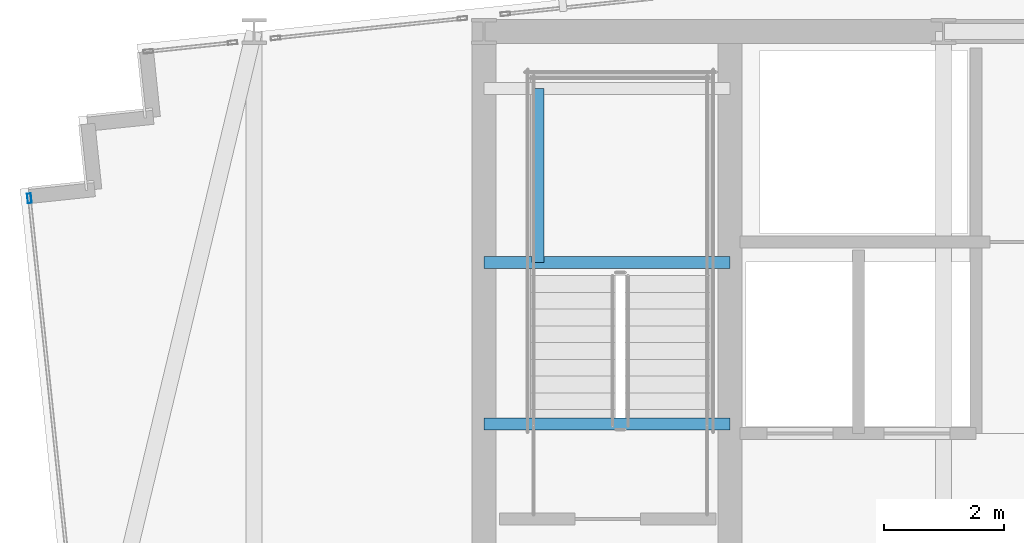
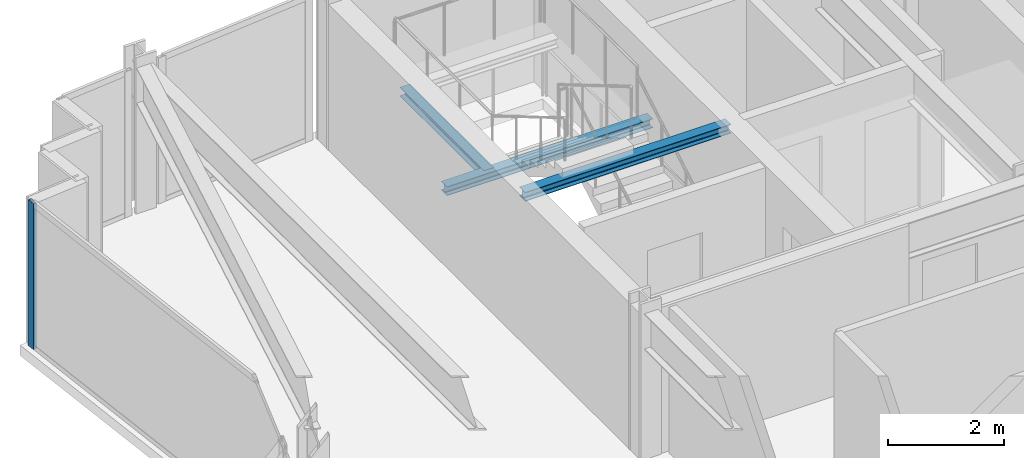
# One storey, part 12 of 32: 3 beams, 1 member, 1 element without a shape of its own.
"""IFC4 building model written with IfcOpenShell, lengths in metres."""

from ifc_helpers import new_model, si_unit, direction, frame, origin, origin_2d, place, context, subcontext, project, spatial, hollow_rectangle, i_section, extrude, material, material_profile, profile_set, type_object, element, aggregate, save


model = new_model("IFC4")

# Units and contexts
model_context = context("Model", 3, precision=1e-05, world=origin(), true_north=direction((0.0, 1.0)))
body_context = subcontext(model_context, "Body", "Model", "MODEL_VIEW")
ifc_project = project(units=[si_unit("LENGTHUNIT", "METRE"), si_unit("AREAUNIT", "SQUARE_METRE"), si_unit("VOLUMEUNIT", "CUBIC_METRE"), si_unit("PLANEANGLEUNIT", "RADIAN"), si_unit("MASSUNIT", "GRAM", prefix="KILO")], contexts=[model_context])

# Site, building, storey
site_placement = place(None, origin())
site = spatial("IfcSite", under=ifc_project, at=site_placement, CompositionType="ELEMENT")
building_placement = place(site_placement, origin())
building = spatial("IfcBuilding", under=site, at=building_placement, Name="Yelkora Congress Tower", CompositionType="ELEMENT")
storey_placement = place(building_placement, frame((0.0, 0.0, 207.800048828125)))
storey = spatial("IfcBuildingStorey", under=building, at=storey_placement, Name="L57", CompositionType="ELEMENT", Elevation=207.800048828125)

# Beams
ifc_material_1 = material(Name="Steel S355J2", Category="steel")
ifc_material_profile_1 = material_profile(ifc_material_1, i_section(OverallWidth=0.199951171875, OverallDepth=0.18994140625, WebThickness=0.006591796875, FlangeThickness=0.010009765625, FilletRadius=0.01806640625, at=origin_2d()), Name="HEA 200")
ifc_profile_set_1 = profile_set([ifc_material_profile_1], Name="Steel S355J2")
beam_type = type_object("IfcBeamType", Name="BM-LAND-HEA200", PredefinedType="BEAM", material=ifc_profile_set_1)
beam_1_placement = place(storey_placement, frame((23.0400390625, 42.340087890625, 1.33447265625), z_axis=(1.0, 0.0, 0.0), x_axis=(0.0, 1.0, 0.0)))
element("IfcBeam", 1, at=beam_1_placement, inside=storey, type_object=beam_type, Name="ST-01 L57 Landing Header Beam 1S", PredefinedType="BEAM", context=body_context, shape_type="SweptSolid", body=[
    extrude(i_section(OverallWidth=0.199951171875, OverallDepth=0.18994140625, WebThickness=0.006591796875, FlangeThickness=0.010009765625, FilletRadius=0.01806640625, at=origin_2d()), origin(), (0.0, 0.0, 1.0), 4.10986328125),
])
beam_2_placement = place(storey_placement, frame((23.93994140625, 42.340087890625, 1.33447265625), z_axis=(0.0, 1.0, 0.0), x_axis=(-1.0, 0.0, 0.0)))
element("IfcBeam", 2, at=beam_2_placement, inside=storey, type_object=beam_type, Name="ST-01 L57 Landing Trimmer Beam 1M", PredefinedType="BEAM", context=body_context, shape_type="SweptSolid", body=[
    extrude(i_section(OverallWidth=0.199951171875, OverallDepth=0.18994140625, WebThickness=0.006591796875, FlangeThickness=0.010009765625, FilletRadius=0.01806640625, at=origin_2d()), origin(), (0.0, 0.0, 1.0), 2.909912109375),
])
beam_3_placement = place(storey_placement, frame((23.0400390625, 39.639892578125, 2.853759765625), z_axis=(1.0, 0.0, 0.0), x_axis=(0.0, 1.0, 0.0)))
element("IfcBeam", 3, at=beam_3_placement, inside=storey, type_object=beam_type, Name="ST-01 L57 Floor Arrival Stringer Header Beam", PredefinedType="BEAM", context=body_context, shape_type="SweptSolid", body=[
    extrude(i_section(OverallWidth=0.199951171875, OverallDepth=0.18994140625, WebThickness=0.006591796875, FlangeThickness=0.010009765625, FilletRadius=0.01806640625, at=origin_2d()), origin(), (0.0, 0.0, 1.0), 4.10986328125),
])

# Curtain wall, member
ifc_material_2 = material(Name="Anodised aluminium and insulated glass", Category="aluminium")
curtain_wall_type = type_object("IfcCurtainWallType", Name="CW-SYS-B4", PredefinedType="NOTDEFINED", material=ifc_material_2)
curtain_wall_placement = place(storey_placement, origin())
curtain_wall = element("IfcCurtainWall", 4, at=curtain_wall_placement, inside=storey, type_object=curtain_wall_type, Name="L57 Unitised Curtain Wall 5", PredefinedType="NOTDEFINED")
ifc_material_3 = material(Name="Anodised aluminium 6063-T6", Category="aluminium")
ifc_material_profile_2 = material_profile(ifc_material_3, hollow_rectangle(XDim=0.06494140625, YDim=0.159912109375, WallThickness=0.00390625, at=origin_2d()), Name="ALU 65x160x4")
ifc_profile_set_2 = profile_set([ifc_material_profile_2], Name="Anodised aluminium 6063-T6")
member_type = type_object("IfcMemberType", Name="MEM-ML-B4", PredefinedType="MULLION", material=ifc_profile_set_2)
member_placement = place(storey_placement, frame((15.444580078125, 43.412353515625, 0.0), z_axis=(0.0, 0.0, 1.0), x_axis=(-0.994522145958, -0.104526079034, 0.0)))
member = element("IfcMember", 5, at=member_placement, type_object=member_type, Name="CW-B4 mullion 5", PredefinedType="MULLION", context=body_context, shape_type="SweptSolid", body=[
    extrude(hollow_rectangle(XDim=0.06494140625, YDim=0.159912109375, WallThickness=0.00390625, at=origin_2d()), origin(), (0.0, 0.0, 1.0), 3.079833984375),
])
aggregate(curtain_wall, [member])

save(model, "model.ifc")
